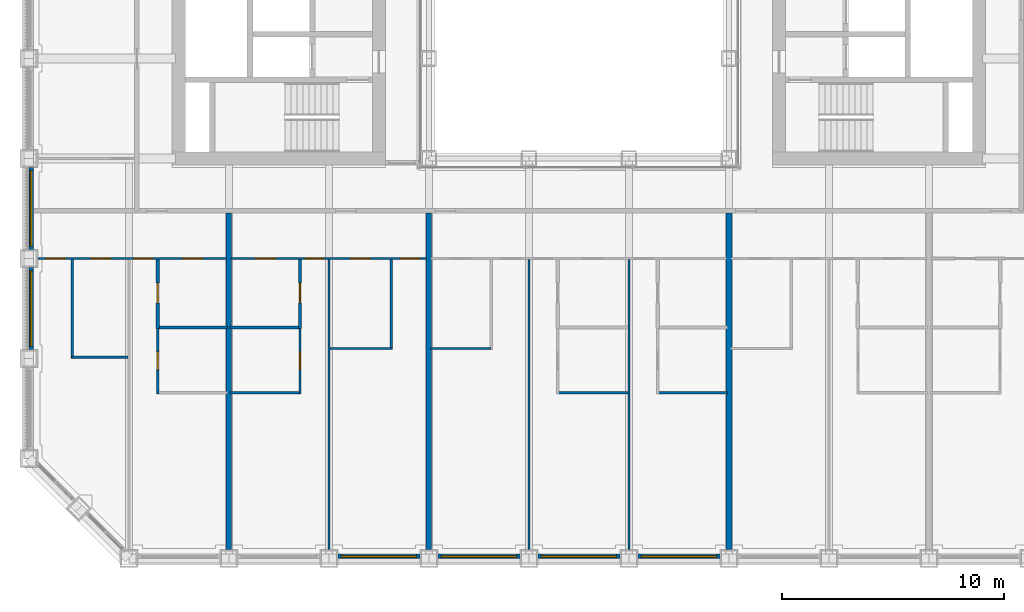
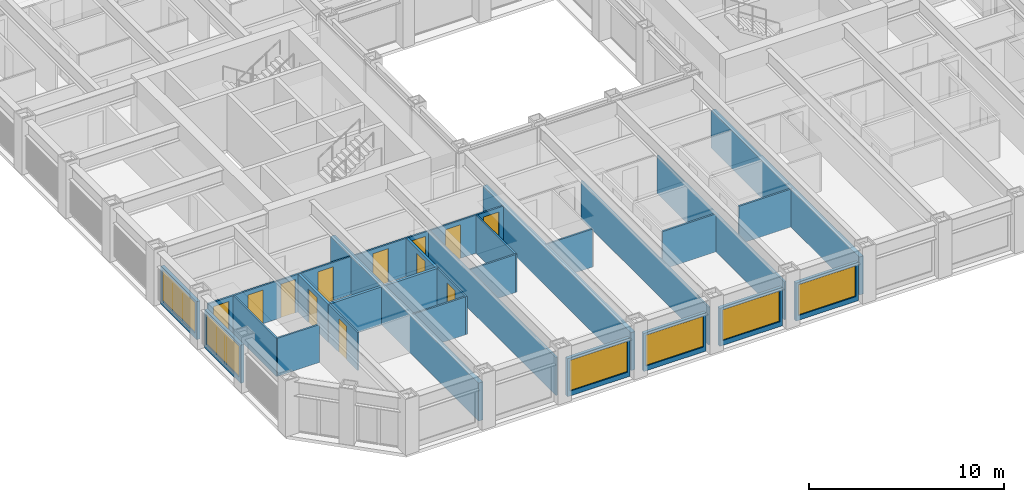
# One storey, part 9 of 21: 28 walls, 12 doors, 6 windows, 18 openings.
"""IFC4 building model written with IfcOpenShell, lengths in metres."""

from ifc_helpers import new_model, si_unit, direction, frame, frame_2d, origin, place, context, subcontext, project, spatial, rectangle, extrude, material, layer, layer_set, type_object, element, fill, save


model = new_model("IFC4")

# Units and contexts
model_context = context("Model", 3, precision=1e-05, world=origin(), true_north=direction((0.0, 1.0)))
body_context = subcontext(model_context, "Body", "Model", "MODEL_VIEW")
ifc_project = project(units=[si_unit("LENGTHUNIT", "METRE"), si_unit("AREAUNIT", "SQUARE_METRE"), si_unit("VOLUMEUNIT", "CUBIC_METRE"), si_unit("PLANEANGLEUNIT", "RADIAN"), si_unit("MASSUNIT", "GRAM", prefix="KILO")], contexts=[model_context])

# Site, building, storey
site_placement = place(None, origin())
site = spatial("IfcSite", under=ifc_project, at=site_placement, CompositionType="ELEMENT")
building_placement = place(site_placement, origin())
building = spatial("IfcBuilding", under=site, at=building_placement, Name="Msasa Ring Tower", CompositionType="ELEMENT")
storey_placement = place(building_placement, frame((0.0, 0.0, 51.0)))
storey = spatial("IfcBuildingStorey", under=building, at=storey_placement, Name="L12", CompositionType="ELEMENT", Elevation=51.0)

# Wall, opening, window
ifc_material_1 = material(Name="Terracotta rainscreen on blockwork", Category="masonry")
ifc_layer_1 = layer(ifc_material_1, 0.199951171875)
ifc_layer_set_1 = layer_set([ifc_layer_1], Name="FW1 TERRACOTTA-LINED INFILL BAY WALL 200")
wall_type_1 = type_object("IfcWallType", Name="FW1 TERRACOTTA-LINED INFILL BAY WALL 200", PredefinedType="SOLIDWALL", material=ifc_layer_set_1)
wall_1_placement = place(storey_placement, frame((-10.844970703125, -24.64990234375, 0.0), z_axis=(0.0, 0.0, 1.0), x_axis=(1.0, 0.0, 0.0)))
wall_1 = element("IfcWall", 1, at=wall_1_placement, inside=storey, type_object=wall_type_1, Name="Infill bay wall S L12 02", PredefinedType="SOLIDWALL", context=body_context, shape_type="SweptSolid", body=[
    extrude(rectangle(XDim=3.68994140625, YDim=0.199951171875, at=frame_2d((1.844970703125, 0.0))), origin(), (0.0, 0.0, 1.0), 2.37890625),
])
opening_1_placement = place(wall_1_placement, frame((0.14501953125, 0.0, 0.300048828125)))
opening_1 = element("IfcOpeningElement", 2, at=opening_1_placement, cuts=wall_1, Name="Opening WN1", PredefinedType="OPENING", context=body_context, shape_type="SweptSolid", body=[
    extrude(rectangle(XDim=3.39990234375, YDim=1.928955078125, at=frame_2d((1.699951171875, 0.96435546875))), frame((0.0, 0.10986328125, 0.0), z_axis=(0.0, -1.0, 0.0), x_axis=(1.0, 0.0, 0.0)), (0.0, 0.0, 1.0), 0.219970703125),
])
ifc_material_2 = material(Name="Aluminium frame with clear glass", Category="aluminium")
window_type = type_object("IfcWindowType", Name="WN1 RESIDENCE WINDOW 3400x1929", PartitioningType="SINGLE_PANEL", PredefinedType="WINDOW", material=ifc_material_2)
window_1_placement = place(opening_1_placement, origin())
window_1 = element("IfcWindow", 3, at=window_1_placement, inside=storey, type_object=window_type, Name="Window S L12 02", OverallHeight=1.928955078125, OverallWidth=3.39990234375, PartitioningType="SINGLE_PANEL", PredefinedType="WINDOW", context=body_context, shape_type="SweptSolid", body=[
    extrude(rectangle(XDim=3.39990234375, YDim=1.928955078125, at=frame_2d((1.699951171875, 0.96435546875))), frame((0.0, 0.030029296875, 0.0), z_axis=(0.0, -1.0, 0.0), x_axis=(1.0, 0.0, 0.0)), (0.0, 0.0, 1.0), 0.06005859375),
])
fill(opening_1, window_1)

wall_2_placement = place(storey_placement, frame((-6.344970703125, -24.64990234375, 0.0), z_axis=(0.0, 0.0, 1.0), x_axis=(1.0, 0.0, 0.0)))
wall_2 = element("IfcWall", 4, at=wall_2_placement, inside=storey, type_object=wall_type_1, Name="Infill bay wall S L12 03", PredefinedType="SOLIDWALL", context=body_context, shape_type="SweptSolid", body=[
    extrude(rectangle(XDim=3.68994140625, YDim=0.199951171875, at=frame_2d((1.844970703125, 0.0))), origin(), (0.0, 0.0, 1.0), 2.37890625),
])
opening_2_placement = place(wall_2_placement, frame((0.14501953125, 0.0, 0.300048828125)))
opening_2 = element("IfcOpeningElement", 5, at=opening_2_placement, cuts=wall_2, Name="Opening WN1", PredefinedType="OPENING", context=body_context, shape_type="SweptSolid", body=[
    extrude(rectangle(XDim=3.39990234375, YDim=1.928955078125, at=frame_2d((1.699951171875, 0.96435546875))), frame((0.0, 0.10986328125, 0.0), z_axis=(0.0, -1.0, 0.0), x_axis=(1.0, 0.0, 0.0)), (0.0, 0.0, 1.0), 0.219970703125),
])
window_2_placement = place(opening_2_placement, origin())
window_2 = element("IfcWindow", 6, at=window_2_placement, inside=storey, type_object=window_type, Name="Window S L12 03", OverallHeight=1.928955078125, OverallWidth=3.39990234375, PartitioningType="SINGLE_PANEL", PredefinedType="WINDOW", context=body_context, shape_type="SweptSolid", body=[
    extrude(rectangle(XDim=3.39990234375, YDim=1.928955078125, at=frame_2d((1.699951171875, 0.96435546875))), frame((0.0, 0.030029296875, 0.0), z_axis=(0.0, -1.0, 0.0), x_axis=(1.0, 0.0, 0.0)), (0.0, 0.0, 1.0), 0.06005859375),
])
fill(opening_2, window_2)

wall_3_placement = place(storey_placement, frame((-1.844970703125, -24.64990234375, 0.0), z_axis=(0.0, 0.0, 1.0), x_axis=(1.0, 0.0, 0.0)))
wall_3 = element("IfcWall", 7, at=wall_3_placement, inside=storey, type_object=wall_type_1, Name="Infill bay wall S L12 04", PredefinedType="SOLIDWALL", context=body_context, shape_type="SweptSolid", body=[
    extrude(rectangle(XDim=3.68994140625, YDim=0.199951171875, at=frame_2d((1.844970703125, 0.0))), origin(), (0.0, 0.0, 1.0), 2.37890625),
])
opening_3_placement = place(wall_3_placement, frame((0.14501953125, 0.0, 0.300048828125)))
opening_3 = element("IfcOpeningElement", 8, at=opening_3_placement, cuts=wall_3, Name="Opening WN1", PredefinedType="OPENING", context=body_context, shape_type="SweptSolid", body=[
    extrude(rectangle(XDim=3.39990234375, YDim=1.928955078125, at=frame_2d((1.699951171875, 0.96435546875))), frame((0.0, 0.10986328125, 0.0), z_axis=(0.0, -1.0, 0.0), x_axis=(1.0, 0.0, 0.0)), (0.0, 0.0, 1.0), 0.219970703125),
])
window_3_placement = place(opening_3_placement, origin())
window_3 = element("IfcWindow", 9, at=window_3_placement, inside=storey, type_object=window_type, Name="Window S L12 04", OverallHeight=1.928955078125, OverallWidth=3.39990234375, PartitioningType="SINGLE_PANEL", PredefinedType="WINDOW", context=body_context, shape_type="SweptSolid", body=[
    extrude(rectangle(XDim=3.39990234375, YDim=1.928955078125, at=frame_2d((1.699951171875, 0.96435546875))), frame((0.0, 0.030029296875, 0.0), z_axis=(0.0, -1.0, 0.0), x_axis=(1.0, 0.0, 0.0)), (0.0, 0.0, 1.0), 0.06005859375),
])
fill(opening_3, window_3)

wall_4_placement = place(storey_placement, frame((2.655029296875, -24.64990234375, 0.0), z_axis=(0.0, 0.0, 1.0), x_axis=(1.0, 0.0, 0.0)))
wall_4 = element("IfcWall", 10, at=wall_4_placement, inside=storey, type_object=wall_type_1, Name="Infill bay wall S L12 05", PredefinedType="SOLIDWALL", context=body_context, shape_type="SweptSolid", body=[
    extrude(rectangle(XDim=3.68994140625, YDim=0.199951171875, at=frame_2d((1.844970703125, 0.0))), origin(), (0.0, 0.0, 1.0), 2.37890625),
])
opening_4_placement = place(wall_4_placement, frame((0.14501953125, 0.0, 0.300048828125)))
opening_4 = element("IfcOpeningElement", 11, at=opening_4_placement, cuts=wall_4, Name="Opening WN1", PredefinedType="OPENING", context=body_context, shape_type="SweptSolid", body=[
    extrude(rectangle(XDim=3.39990234375, YDim=1.928955078125, at=frame_2d((1.699951171875, 0.96435546875))), frame((0.0, 0.10986328125, 0.0), z_axis=(0.0, -1.0, 0.0), x_axis=(1.0, 0.0, 0.0)), (0.0, 0.0, 1.0), 0.219970703125),
])
window_4_placement = place(opening_4_placement, origin())
window_4 = element("IfcWindow", 12, at=window_4_placement, inside=storey, type_object=window_type, Name="Window S L12 05", OverallHeight=1.928955078125, OverallWidth=3.39990234375, PartitioningType="SINGLE_PANEL", PredefinedType="WINDOW", context=body_context, shape_type="SweptSolid", body=[
    extrude(rectangle(XDim=3.39990234375, YDim=1.928955078125, at=frame_2d((1.699951171875, 0.96435546875))), frame((0.0, 0.030029296875, 0.0), z_axis=(0.0, -1.0, 0.0), x_axis=(1.0, 0.0, 0.0)), (0.0, 0.0, 1.0), 0.06005859375),
])
fill(opening_4, window_4)

wall_5_placement = place(storey_placement, frame((-24.64990234375, -15.344970703125, 0.0), z_axis=(0.0, 0.0, 1.0), x_axis=(0.0, 1.0, 0.0)))
wall_5 = element("IfcWall", 13, at=wall_5_placement, inside=storey, type_object=wall_type_1, Name="Infill bay wall W L12 34", PredefinedType="SOLIDWALL", context=body_context, shape_type="SweptSolid", body=[
    extrude(rectangle(XDim=3.68994140625, YDim=0.199951171875, at=frame_2d((1.844970703125, 0.0))), origin(), (0.0, 0.0, 1.0), 2.37890625),
])
opening_5_placement = place(wall_5_placement, frame((0.14501953125, 0.0, 0.300048828125)))
opening_5 = element("IfcOpeningElement", 14, at=opening_5_placement, cuts=wall_5, Name="Opening WN1", PredefinedType="OPENING", context=body_context, shape_type="SweptSolid", body=[
    extrude(rectangle(XDim=3.39990234375, YDim=1.928955078125, at=frame_2d((1.699951171875, 0.96435546875))), frame((0.0, 0.10986328125, 0.0), z_axis=(0.0, -1.0, 0.0), x_axis=(1.0, 0.0, 0.0)), (0.0, 0.0, 1.0), 0.219970703125),
])
window_5_placement = place(opening_5_placement, origin())
window_5 = element("IfcWindow", 15, at=window_5_placement, inside=storey, type_object=window_type, Name="Window W L12 34", OverallHeight=1.928955078125, OverallWidth=3.39990234375, PartitioningType="SINGLE_PANEL", PredefinedType="WINDOW", context=body_context, shape_type="SweptSolid", body=[
    extrude(rectangle(XDim=3.39990234375, YDim=1.928955078125, at=frame_2d((1.699951171875, 0.96435546875))), frame((0.0, 0.030029296875, 0.0), z_axis=(0.0, -1.0, 0.0), x_axis=(1.0, 0.0, 0.0)), (0.0, 0.0, 1.0), 0.06005859375),
])
fill(opening_5, window_5)

wall_6_placement = place(storey_placement, frame((-24.64990234375, -10.844970703125, 0.0), z_axis=(0.0, 0.0, 1.0), x_axis=(0.0, 1.0, 0.0)))
wall_6 = element("IfcWall", 16, at=wall_6_placement, inside=storey, type_object=wall_type_1, Name="Infill bay wall W L12 35", PredefinedType="SOLIDWALL", context=body_context, shape_type="SweptSolid", body=[
    extrude(rectangle(XDim=3.68994140625, YDim=0.199951171875, at=frame_2d((1.844970703125, 0.0))), origin(), (0.0, 0.0, 1.0), 2.37890625),
])
opening_6_placement = place(wall_6_placement, frame((0.14501953125, 0.0, 0.300048828125)))
opening_6 = element("IfcOpeningElement", 17, at=opening_6_placement, cuts=wall_6, Name="Opening WN1", PredefinedType="OPENING", context=body_context, shape_type="SweptSolid", body=[
    extrude(rectangle(XDim=3.39990234375, YDim=1.928955078125, at=frame_2d((1.699951171875, 0.96435546875))), frame((0.0, 0.10986328125, 0.0), z_axis=(0.0, -1.0, 0.0), x_axis=(1.0, 0.0, 0.0)), (0.0, 0.0, 1.0), 0.219970703125),
])
window_6_placement = place(opening_6_placement, origin())
window_6 = element("IfcWindow", 18, at=window_6_placement, inside=storey, type_object=window_type, Name="Window W L12 35", OverallHeight=1.928955078125, OverallWidth=3.39990234375, PartitioningType="SINGLE_PANEL", PredefinedType="WINDOW", context=body_context, shape_type="SweptSolid", body=[
    extrude(rectangle(XDim=3.39990234375, YDim=1.928955078125, at=frame_2d((1.699951171875, 0.96435546875))), frame((0.0, 0.030029296875, 0.0), z_axis=(0.0, -1.0, 0.0), x_axis=(1.0, 0.0, 0.0)), (0.0, 0.0, 1.0), 0.06005859375),
])
fill(opening_6, window_6)

# Wall, openings, doors
ifc_material_3 = material(Name="Gypsum board on steel studs", Category="steel")
ifc_layer_2 = layer(ifc_material_3, 0.10009765625)
ifc_layer_set_2 = layer_set([ifc_layer_2], Name="PT2 STUD PARTITION 100")
wall_type_2 = type_object("IfcWallType", Name="PT2 STUD PARTITION 100", PredefinedType="PARTITIONING", material=ifc_layer_set_2)
wall_7_placement = place(storey_placement, frame((-24.35009765625, -11.25, 0.0), z_axis=(0.0, 0.0, 1.0), x_axis=(1.0, 0.0, 0.0)))
wall_7 = element("IfcWall", 19, at=wall_7_placement, inside=storey, type_object=wall_type_2, Name="Partition L12-US00HY", PredefinedType="PARTITIONING", context=body_context, shape_type="SweptSolid", body=[
    extrude(rectangle(XDim=8.5, YDim=0.10009765625, at=frame_2d((4.25, 0.0))), origin(), (0.0, 0.0, 1.0), 2.373291015625),
])
opening_7_placement = place(wall_7_placement, frame((2.375, 0.0, 0.0)))
opening_7 = element("IfcOpeningElement", 20, at=opening_7_placement, cuts=wall_7, Name="Opening RC-054", PredefinedType="OPENING", context=body_context, shape_type="SweptSolid", body=[
    extrude(rectangle(XDim=0.89990234375, YDim=2.10009765625, at=frame_2d((0.449951171875, 1.050048828125))), frame((0.0, 0.06005859375, 0.0), z_axis=(0.0, -1.0, 0.0), x_axis=(1.0, 0.0, 0.0)), (0.0, 0.0, 1.0), 0.1201171875),
])
opening_8_placement = place(wall_7_placement, frame((0.35009765625, 0.0, 0.0)))
opening_8 = element("IfcOpeningElement", 21, at=opening_8_placement, cuts=wall_7, Name="Opening RC-053", PredefinedType="OPENING", context=body_context, shape_type="SweptSolid", body=[
    extrude(rectangle(XDim=0.89990234375, YDim=2.10009765625, at=frame_2d((0.449951171875, 1.050048828125))), frame((0.0, 0.06005859375, 0.0), z_axis=(0.0, -1.0, 0.0), x_axis=(1.0, 0.0, 0.0)), (0.0, 0.0, 1.0), 0.1201171875),
])
opening_9_placement = place(wall_7_placement, frame((4.324951171875, 0.0, 0.0)))
opening_9 = element("IfcOpeningElement", 22, at=opening_9_placement, cuts=wall_7, Name="Opening RC-055", PredefinedType="OPENING", context=body_context, shape_type="SweptSolid", body=[
    extrude(rectangle(XDim=0.85009765625, YDim=2.10009765625, at=frame_2d((0.425048828125, 1.050048828125))), frame((0.0, 0.06005859375, 0.0), z_axis=(0.0, -1.0, 0.0), x_axis=(1.0, 0.0, 0.0)), (0.0, 0.0, 1.0), 0.1201171875),
])
opening_10_placement = place(wall_7_placement, frame((6.52001953125, 0.0, 0.0)))
opening_10 = element("IfcOpeningElement", 23, at=opening_10_placement, cuts=wall_7, Name="Opening RC-056", PredefinedType="OPENING", context=body_context, shape_type="SweptSolid", body=[
    extrude(rectangle(XDim=0.89990234375, YDim=2.10009765625, at=frame_2d((0.449951171875, 1.050048828125))), frame((0.0, 0.06005859375, 0.0), z_axis=(0.0, -1.0, 0.0), x_axis=(1.0, 0.0, 0.0)), (0.0, 0.0, 1.0), 0.1201171875),
])
ifc_material_4 = material(Name="Timber door leaf in a steel frame", Category="steel")
door_type_1 = type_object("IfcDoorType", Name="D14 BEDROOM DOOR 850x2100", OperationType="SINGLE_SWING_LEFT", PredefinedType="DOOR", material=ifc_material_4)
door_1_placement = place(opening_9_placement, origin())
door_1 = element("IfcDoor", 24, at=door_1_placement, inside=storey, type_object=door_type_1, Name="Door L12-US00R1", OperationType="SINGLE_SWING_RIGHT", OverallHeight=2.10009765625, OverallWidth=0.85009765625, PredefinedType="DOOR", context=body_context, shape_type="SweptSolid", body=[
    extrude(rectangle(XDim=0.85009765625, YDim=2.10009765625, at=frame_2d((0.425048828125, 1.050048828125))), frame((0.0, 0.02490234375, 0.0), z_axis=(0.0, -1.0, 0.0), x_axis=(1.0, 0.0, 0.0)), (0.0, 0.0, 1.0), 0.050048828125),
])
fill(opening_9, door_1)
ifc_material_5 = material(Name="Timber door leaf in a steel frame", Category="steel")
door_type_2 = type_object("IfcDoorType", Name="D22 INTERNAL HALL DOOR 900x2100", OperationType="SINGLE_SWING_LEFT", PredefinedType="DOOR", material=ifc_material_5)
door_2_placement = place(opening_7_placement, origin())
door_2 = element("IfcDoor", 25, at=door_2_placement, inside=storey, type_object=door_type_2, Name="Door L12-US00K", OperationType="SINGLE_SWING_LEFT", OverallHeight=2.10009765625, OverallWidth=0.89990234375, PredefinedType="DOOR", context=body_context, shape_type="SweptSolid", body=[
    extrude(rectangle(XDim=0.89990234375, YDim=2.10009765625, at=frame_2d((0.449951171875, 1.050048828125))), frame((0.0, 0.02490234375, 0.0), z_axis=(0.0, -1.0, 0.0), x_axis=(1.0, 0.0, 0.0)), (0.0, 0.0, 1.0), 0.050048828125),
])
fill(opening_7, door_2)
door_3_placement = place(opening_8_placement, origin())
door_3 = element("IfcDoor", 26, at=door_3_placement, inside=storey, type_object=door_type_2, Name="Door L12-US00L", OperationType="SINGLE_SWING_LEFT", OverallHeight=2.10009765625, OverallWidth=0.89990234375, PredefinedType="DOOR", context=body_context, shape_type="SweptSolid", body=[
    extrude(rectangle(XDim=0.89990234375, YDim=2.10009765625, at=frame_2d((0.449951171875, 1.050048828125))), frame((0.0, 0.02490234375, 0.0), z_axis=(0.0, -1.0, 0.0), x_axis=(1.0, 0.0, 0.0)), (0.0, 0.0, 1.0), 0.050048828125),
])
fill(opening_8, door_3)
ifc_material_6 = material(Name="Timber door leaf in a steel frame", Category="steel")
door_type_3 = type_object("IfcDoorType", Name="D3 BATHROOM DOOR 900x2100", OperationType="SINGLE_SWING_LEFT", PredefinedType="DOOR", material=ifc_material_6)
door_4_placement = place(opening_10_placement, origin())
door_4 = element("IfcDoor", 27, at=door_4_placement, inside=storey, type_object=door_type_3, Name="Door L12-US00BH1", OperationType="SINGLE_SWING_RIGHT", OverallHeight=2.10009765625, OverallWidth=0.89990234375, PredefinedType="DOOR", context=body_context, shape_type="SweptSolid", body=[
    extrude(rectangle(XDim=0.89990234375, YDim=2.10009765625, at=frame_2d((0.449951171875, 1.050048828125))), frame((0.0, 0.02490234375, 0.0), z_axis=(0.0, -1.0, 0.0), x_axis=(1.0, 0.0, 0.0)), (0.0, 0.0, 1.0), 0.050048828125),
])
fill(opening_10, door_4)

# Walls
wall_8_placement = place(storey_placement, frame((-22.800048828125, -15.7421875, 0.0), z_axis=(0.0, 0.0, 1.0), x_axis=(0.0, 1.0, 0.0)))
element("IfcWall", 28, at=wall_8_placement, inside=storey, type_object=wall_type_2, Name="Partition L12-US00KX", PredefinedType="PARTITIONING", context=body_context, shape_type="SweptSolid", body=[
    extrude(rectangle(XDim=4.442138671875, YDim=0.10009765625, at=frame_2d((2.22119140625, 0.0))), origin(), (0.0, 0.0, 1.0), 2.373291015625),
])
wall_9_placement = place(storey_placement, frame((-22.800048828125, -15.692138671875, 0.0), z_axis=(0.0, 0.0, 1.0), x_axis=(1.0, 0.0, 0.0)))
element("IfcWall", 29, at=wall_9_placement, inside=storey, type_object=wall_type_2, Name="Partition L12-US00KY", PredefinedType="PARTITIONING", context=body_context, shape_type="SweptSolid", body=[
    extrude(rectangle(XDim=2.5, YDim=0.10009765625, at=frame_2d((1.25, 0.0))), origin(), (0.0, 0.0, 1.0), 2.373291015625),
])

# Wall, opening, door
wall_10_placement = place(storey_placement, frame((-18.949951171875, -17.3408203125, 0.0), z_axis=(0.0, 0.0, 1.0), x_axis=(0.0, 1.0, 0.0)))
wall_10 = element("IfcWall", 30, at=wall_10_placement, inside=storey, type_object=wall_type_2, Name="Partition L12-US00WX1", PredefinedType="PARTITIONING", context=body_context, shape_type="SweptSolid", body=[
    extrude(rectangle(XDim=2.94091796875, YDim=0.10009765625, at=frame_2d((1.470458984375, 0.0))), origin(), (0.0, 0.0, 1.0), 2.373291015625),
])
opening_11_placement = place(wall_10_placement, frame((1.095458984375, 0.0, 0.0)))
opening_11 = element("IfcOpeningElement", 31, at=opening_11_placement, cuts=wall_10, Name="Opening RC-080", PredefinedType="OPENING", context=body_context, shape_type="SweptSolid", body=[
    extrude(rectangle(XDim=0.800048828125, YDim=2.10009765625, at=frame_2d((0.39990234375, 1.050048828125))), frame((0.0, 0.06005859375, 0.0), z_axis=(0.0, -1.0, 0.0), x_axis=(1.0, 0.0, 0.0)), (0.0, 0.0, 1.0), 0.1201171875),
])
ifc_material_7 = material(Name="Timber door leaf in a steel frame", Category="steel")
door_type_4 = type_object("IfcDoorType", Name="D60 DRESSING ROOM DOOR 800x2100", OperationType="SINGLE_SWING_LEFT", PredefinedType="DOOR", material=ifc_material_7)
door_5_placement = place(opening_11_placement, origin())
door_5 = element("IfcDoor", 32, at=door_5_placement, inside=storey, type_object=door_type_4, Name="Door L12-US00W1", OperationType="SINGLE_SWING_LEFT", OverallHeight=2.10009765625, OverallWidth=0.800048828125, PredefinedType="DOOR", context=body_context, shape_type="SweptSolid", body=[
    extrude(rectangle(XDim=0.800048828125, YDim=2.10009765625, at=frame_2d((0.39990234375, 1.050048828125))), frame((0.0, 0.02490234375, 0.0), z_axis=(0.0, -1.0, 0.0), x_axis=(1.0, 0.0, 0.0)), (0.0, 0.0, 1.0), 0.050048828125),
])
fill(opening_11, door_5)

# Wall, openings, doors
wall_11_placement = place(storey_placement, frame((-15.64990234375, -11.25, 0.0), z_axis=(0.0, 0.0, 1.0), x_axis=(1.0, 0.0, 0.0)))
wall_11 = element("IfcWall", 33, at=wall_11_placement, inside=storey, type_object=wall_type_2, Name="Partition L12-US01HY", PredefinedType="PARTITIONING", context=body_context, shape_type="SweptSolid", body=[
    extrude(rectangle(XDim=8.7998046875, YDim=0.10009765625, at=frame_2d((4.39990234375, 0.0))), origin(), (0.0, 0.0, 1.0), 2.373291015625),
])
opening_12_placement = place(wall_11_placement, frame((5.35009765625, 0.0, 0.0)))
opening_12 = element("IfcOpeningElement", 34, at=opening_12_placement, cuts=wall_11, Name="Opening RC-059", PredefinedType="OPENING", context=body_context, shape_type="SweptSolid", body=[
    extrude(rectangle(XDim=0.89990234375, YDim=2.10009765625, at=frame_2d((0.449951171875, 1.050048828125))), frame((0.0, 0.06005859375, 0.0), z_axis=(0.0, -1.0, 0.0), x_axis=(1.0, 0.0, 0.0)), (0.0, 0.0, 1.0), 0.1201171875),
])
opening_13_placement = place(wall_11_placement, frame((7.60009765625, 0.0, 0.0)))
opening_13 = element("IfcOpeningElement", 35, at=opening_13_placement, cuts=wall_11, Name="Opening RC-060", PredefinedType="OPENING", context=body_context, shape_type="SweptSolid", body=[
    extrude(rectangle(XDim=0.89990234375, YDim=2.10009765625, at=frame_2d((0.449951171875, 1.050048828125))), frame((0.0, 0.06005859375, 0.0), z_axis=(0.0, -1.0, 0.0), x_axis=(1.0, 0.0, 0.0)), (0.0, 0.0, 1.0), 0.1201171875),
])
opening_14_placement = place(wall_11_placement, frame((3.324951171875, 0.0, 0.0)))
opening_14 = element("IfcOpeningElement", 36, at=opening_14_placement, cuts=wall_11, Name="Opening RC-058", PredefinedType="OPENING", context=body_context, shape_type="SweptSolid", body=[
    extrude(rectangle(XDim=0.85009765625, YDim=2.10009765625, at=frame_2d((0.425048828125, 1.050048828125))), frame((0.0, 0.06005859375, 0.0), z_axis=(0.0, -1.0, 0.0), x_axis=(1.0, 0.0, 0.0)), (0.0, 0.0, 1.0), 0.1201171875),
])
opening_15_placement = place(wall_11_placement, frame((1.080078125, 0.0, 0.0)))
opening_15 = element("IfcOpeningElement", 37, at=opening_15_placement, cuts=wall_11, Name="Opening RC-057", PredefinedType="OPENING", context=body_context, shape_type="SweptSolid", body=[
    extrude(rectangle(XDim=0.89990234375, YDim=2.10009765625, at=frame_2d((0.449951171875, 1.050048828125))), frame((0.0, 0.06005859375, 0.0), z_axis=(0.0, -1.0, 0.0), x_axis=(1.0, 0.0, 0.0)), (0.0, 0.0, 1.0), 0.1201171875),
])
door_6_placement = place(opening_14_placement, origin())
door_6 = element("IfcDoor", 38, at=door_6_placement, inside=storey, type_object=door_type_1, Name="Door L12-US01R1", OperationType="SINGLE_SWING_LEFT", OverallHeight=2.10009765625, OverallWidth=0.85009765625, PredefinedType="DOOR", context=body_context, shape_type="SweptSolid", body=[
    extrude(rectangle(XDim=0.85009765625, YDim=2.10009765625, at=frame_2d((0.425048828125, 1.050048828125))), frame((0.0, 0.02490234375, 0.0), z_axis=(0.0, -1.0, 0.0), x_axis=(1.0, 0.0, 0.0)), (0.0, 0.0, 1.0), 0.050048828125),
])
fill(opening_14, door_6)
door_7_placement = place(opening_12_placement, origin())
door_7 = element("IfcDoor", 39, at=door_7_placement, inside=storey, type_object=door_type_2, Name="Door L12-US01K", OperationType="SINGLE_SWING_RIGHT", OverallHeight=2.10009765625, OverallWidth=0.89990234375, PredefinedType="DOOR", context=body_context, shape_type="SweptSolid", body=[
    extrude(rectangle(XDim=0.89990234375, YDim=2.10009765625, at=frame_2d((0.449951171875, 1.050048828125))), frame((0.0, 0.02490234375, 0.0), z_axis=(0.0, -1.0, 0.0), x_axis=(1.0, 0.0, 0.0)), (0.0, 0.0, 1.0), 0.050048828125),
])
fill(opening_12, door_7)
door_8_placement = place(opening_13_placement, origin())
door_8 = element("IfcDoor", 40, at=door_8_placement, inside=storey, type_object=door_type_2, Name="Door L12-US01L", OperationType="SINGLE_SWING_RIGHT", OverallHeight=2.10009765625, OverallWidth=0.89990234375, PredefinedType="DOOR", context=body_context, shape_type="SweptSolid", body=[
    extrude(rectangle(XDim=0.89990234375, YDim=2.10009765625, at=frame_2d((0.449951171875, 1.050048828125))), frame((0.0, 0.02490234375, 0.0), z_axis=(0.0, -1.0, 0.0), x_axis=(1.0, 0.0, 0.0)), (0.0, 0.0, 1.0), 0.050048828125),
])
fill(opening_13, door_8)
door_9_placement = place(opening_15_placement, origin())
door_9 = element("IfcDoor", 41, at=door_9_placement, inside=storey, type_object=door_type_3, Name="Door L12-US01BH1", OperationType="SINGLE_SWING_LEFT", OverallHeight=2.10009765625, OverallWidth=0.89990234375, PredefinedType="DOOR", context=body_context, shape_type="SweptSolid", body=[
    extrude(rectangle(XDim=0.89990234375, YDim=2.10009765625, at=frame_2d((0.449951171875, 1.050048828125))), frame((0.0, 0.02490234375, 0.0), z_axis=(0.0, -1.0, 0.0), x_axis=(1.0, 0.0, 0.0)), (0.0, 0.0, 1.0), 0.050048828125),
])
fill(opening_15, door_9)

# Walls
wall_12_placement = place(storey_placement, frame((-8.449951171875, -15.35009765625, 0.0), z_axis=(0.0, 0.0, 1.0), x_axis=(0.0, 1.0, 0.0)))
element("IfcWall", 42, at=wall_12_placement, inside=storey, type_object=wall_type_2, Name="Partition L12-US01KX", PredefinedType="PARTITIONING", context=body_context, shape_type="SweptSolid", body=[
    extrude(rectangle(XDim=4.050048828125, YDim=0.10009765625, at=frame_2d((2.02490234375, 0.0))), origin(), (0.0, 0.0, 1.0), 2.373291015625),
])
wall_13_placement = place(storey_placement, frame((-11.199951171875, -15.300048828125, 0.0), z_axis=(0.0, 0.0, 1.0), x_axis=(1.0, 0.0, 0.0)))
element("IfcWall", 43, at=wall_13_placement, inside=storey, type_object=wall_type_2, Name="Partition L12-US01KY", PredefinedType="PARTITIONING", context=body_context, shape_type="SweptSolid", body=[
    extrude(rectangle(XDim=2.75, YDim=0.10009765625, at=frame_2d((1.375, 0.0))), origin(), (0.0, 0.0, 1.0), 2.373291015625),
])
wall_14_placement = place(storey_placement, frame((-11.25, -24.35009765625, 0.0), z_axis=(0.0, 0.0, 1.0), x_axis=(0.0, 1.0, 0.0)))
element("IfcWall", 44, at=wall_14_placement, inside=storey, type_object=wall_type_2, Name="Partition L12-US01P1", PredefinedType="PARTITIONING", context=body_context, shape_type="SweptSolid", body=[
    extrude(rectangle(XDim=13.050048828125, YDim=0.10009765625, at=frame_2d((6.52490234375, 0.0))), origin(), (0.0, 0.0, 1.0), 2.373291015625),
])

# Wall, opening, door
wall_15_placement = place(storey_placement, frame((-12.550048828125, -17.343505859375, 0.0), z_axis=(0.0, 0.0, 1.0), x_axis=(0.0, 1.0, 0.0)))
wall_15 = element("IfcWall", 45, at=wall_15_placement, inside=storey, type_object=wall_type_2, Name="Partition L12-US01WX1", PredefinedType="PARTITIONING", context=body_context, shape_type="SweptSolid", body=[
    extrude(rectangle(XDim=2.943603515625, YDim=0.10009765625, at=frame_2d((1.4716796875, 0.0))), origin(), (0.0, 0.0, 1.0), 2.373291015625),
])
opening_16_placement = place(wall_15_placement, frame((1.0966796875, 0.0, 0.0)))
opening_16 = element("IfcOpeningElement", 46, at=opening_16_placement, cuts=wall_15, Name="Opening RC-081", PredefinedType="OPENING", context=body_context, shape_type="SweptSolid", body=[
    extrude(rectangle(XDim=0.800048828125, YDim=2.10009765625, at=frame_2d((0.39990234375, 1.050048828125))), frame((0.0, 0.06005859375, 0.0), z_axis=(0.0, -1.0, 0.0), x_axis=(1.0, 0.0, 0.0)), (0.0, 0.0, 1.0), 0.1201171875),
])
door_10_placement = place(opening_16_placement, origin())
door_10 = element("IfcDoor", 47, at=door_10_placement, inside=storey, type_object=door_type_4, Name="Door L12-US01W1", OperationType="SINGLE_SWING_LEFT", OverallHeight=2.10009765625, OverallWidth=0.800048828125, PredefinedType="DOOR", context=body_context, shape_type="SweptSolid", body=[
    extrude(rectangle(XDim=0.800048828125, YDim=2.10009765625, at=frame_2d((0.39990234375, 1.050048828125))), frame((0.0, 0.02490234375, 0.0), z_axis=(0.0, -1.0, 0.0), x_axis=(1.0, 0.0, 0.0)), (0.0, 0.0, 1.0), 0.050048828125),
])
fill(opening_16, door_10)

# Walls
wall_16_placement = place(storey_placement, frame((-15.68994140625, -17.29345703125, 0.0), z_axis=(0.0, 0.0, 1.0), x_axis=(1.0, 0.0, 0.0)))
element("IfcWall", 48, at=wall_16_placement, inside=storey, type_object=wall_type_2, Name="Partition L12-US01WY1", PredefinedType="PARTITIONING", context=body_context, shape_type="SweptSolid", body=[
    extrude(rectangle(XDim=3.139892578125, YDim=0.10009765625, at=frame_2d((1.56982421875, 0.0))), origin(), (0.0, 0.0, 1.0), 2.373291015625),
])
wall_17_placement = place(storey_placement, frame((-6.68994140625, -15.300048828125, 0.0), z_axis=(0.0, 0.0, 1.0), x_axis=(1.0, 0.0, 0.0)))
element("IfcWall", 49, at=wall_17_placement, inside=storey, type_object=wall_type_2, Name="Partition L12-US02KY", PredefinedType="PARTITIONING", context=body_context, shape_type="SweptSolid", body=[
    extrude(rectangle(XDim=2.739990234375, YDim=0.10009765625, at=frame_2d((1.3701171875, 0.0))), origin(), (0.0, 0.0, 1.0), 2.373291015625),
])
wall_18_placement = place(storey_placement, frame((-2.25, -24.35009765625, 0.0), z_axis=(0.0, 0.0, 1.0), x_axis=(0.0, 1.0, 0.0)))
element("IfcWall", 50, at=wall_18_placement, inside=storey, type_object=wall_type_2, Name="Partition L12-US02P1", PredefinedType="PARTITIONING", context=body_context, shape_type="SweptSolid", body=[
    extrude(rectangle(XDim=13.050048828125, YDim=0.10009765625, at=frame_2d((6.52490234375, 0.0))), origin(), (0.0, 0.0, 1.0), 2.373291015625),
])
wall_19_placement = place(storey_placement, frame((-0.949951171875, -17.29345703125, 0.0), z_axis=(0.0, 0.0, 1.0), x_axis=(1.0, 0.0, 0.0)))
element("IfcWall", 51, at=wall_19_placement, inside=storey, type_object=wall_type_2, Name="Partition L12-US02WY1", PredefinedType="PARTITIONING", context=body_context, shape_type="SweptSolid", body=[
    extrude(rectangle(XDim=3.14990234375, YDim=0.10009765625, at=frame_2d((1.574951171875, 0.0))), origin(), (0.0, 0.0, 1.0), 2.373291015625),
])
wall_20_placement = place(storey_placement, frame((2.25, -24.35009765625, 0.0), z_axis=(0.0, 0.0, 1.0), x_axis=(0.0, 1.0, 0.0)))
element("IfcWall", 52, at=wall_20_placement, inside=storey, type_object=wall_type_2, Name="Partition L12-US02P2", PredefinedType="PARTITIONING", context=body_context, shape_type="SweptSolid", body=[
    extrude(rectangle(XDim=13.050048828125, YDim=0.10009765625, at=frame_2d((6.52490234375, 0.0))), origin(), (0.0, 0.0, 1.0), 2.373291015625),
])
wall_21_placement = place(storey_placement, frame((3.550048828125, -17.29345703125, 0.0), z_axis=(0.0, 0.0, 1.0), x_axis=(1.0, 0.0, 0.0)))
element("IfcWall", 53, at=wall_21_placement, inside=storey, type_object=wall_type_2, Name="Partition L12-US02WY2", PredefinedType="PARTITIONING", context=body_context, shape_type="SweptSolid", body=[
    extrude(rectangle(XDim=3.139892578125, YDim=0.10009765625, at=frame_2d((1.56982421875, 0.0))), origin(), (0.0, 0.0, 1.0), 2.373291015625),
])
ifc_material_8 = material(Name="Dense concrete blockwork, plastered both faces", Category="masonry")
ifc_layer_3 = layer(ifc_material_8, 0.25)
ifc_layer_set_3 = layer_set([ifc_layer_3], Name="PT3 APARTMENT SEPARATING WALL 250")
wall_type_3 = type_object("IfcWallType", Name="PT3 APARTMENT SEPARATING WALL 250", PredefinedType="PARTITIONING", material=ifc_layer_set_3)
for number, where, z_axis, x_axis, name in (
    (54, (-15.75, -24.35009765625, 0.0), (0.0, 0.0, 1.0), (0.0, 1.0, 0.0), "Party wall L12-PWS-15.75"),
    (55, (-6.75, -24.35009765625, 0.0), (0.0, 0.0, 1.0), (0.0, 1.0, 0.0), "Party wall L12-PWS-6.75"),
    (56, (6.75, -24.35009765625, 0.0), (0.0, 0.0, 1.0), (0.0, 1.0, 0.0), "Party wall L12-PWS+6.75"),
):
    element("IfcWall", number, at=place(storey_placement, frame(where, z_axis=z_axis, x_axis=x_axis)), inside=storey, type_object=wall_type_3, Name=name, PredefinedType="PARTITIONING", context=body_context, shape_type="SweptSolid", body=[
        extrude(rectangle(XDim=15.150146484375, YDim=0.25, at=frame_2d((7.5751953125, 0.0))), origin(), (0.0, 0.0, 1.0), 2.373291015625),
    ])

# Wall, opening, door
ifc_material_9 = material(Name="Moisture-resistant board on steel studs with a concealed cistern and pipe void, tiled", Category="steel")
ifc_layer_4 = layer(ifc_material_9, 0.14990234375)
ifc_layer_set_4 = layer_set([ifc_layer_4], Name="PT4 BATHROOM WET WALL 150")
wall_type_4 = type_object("IfcWallType", Name="PT4 BATHROOM WET WALL 150", PredefinedType="PARTITIONING", material=ifc_layer_set_4)
wall_22_placement = place(storey_placement, frame((-18.949951171875, -14.39990234375, 0.0), z_axis=(0.0, 0.0, 1.0), x_axis=(0.0, 1.0, 0.0)))
wall_22 = element("IfcWall", 57, at=wall_22_placement, inside=storey, type_object=wall_type_4, Name="Partition L12-US00BX1", PredefinedType="PARTITIONING", context=body_context, shape_type="SweptSolid", body=[
    extrude(rectangle(XDim=3.099853515625, YDim=0.14990234375, at=frame_2d((1.5498046875, 0.0))), origin(), (0.0, 0.0, 1.0), 2.373291015625),
])
opening_17_placement = place(wall_22_placement, frame((1.14990234375, 0.0, 0.0)))
opening_17 = element("IfcOpeningElement", 58, at=opening_17_placement, cuts=wall_22, Name="Opening RC-074", PredefinedType="OPENING", context=body_context, shape_type="SweptSolid", body=[
    extrude(rectangle(XDim=0.89990234375, YDim=2.10009765625, at=frame_2d((0.449951171875, 1.050048828125))), frame((0.0, 0.0849609375, 0.0), z_axis=(0.0, -1.0, 0.0), x_axis=(1.0, 0.0, 0.0)), (0.0, 0.0, 1.0), 0.169921875),
])
door_11_placement = place(opening_17_placement, origin())
door_11 = element("IfcDoor", 59, at=door_11_placement, inside=storey, type_object=door_type_3, Name="Door L12-US00B1", OperationType="SINGLE_SWING_RIGHT", OverallHeight=2.10009765625, OverallWidth=0.89990234375, PredefinedType="DOOR", context=body_context, shape_type="SweptSolid", body=[
    extrude(rectangle(XDim=0.89990234375, YDim=2.10009765625, at=frame_2d((0.449951171875, 1.050048828125))), frame((0.0, 0.02490234375, 0.0), z_axis=(0.0, -1.0, 0.0), x_axis=(1.0, 0.0, 0.0)), (0.0, 0.0, 1.0), 0.050048828125),
])
fill(opening_17, door_11)

# Wall
wall_23_placement = place(storey_placement, frame((-18.949951171875, -14.35009765625, 0.0), z_axis=(0.0, 0.0, 1.0), x_axis=(1.0, 0.0, 0.0)))
element("IfcWall", 60, at=wall_23_placement, inside=storey, type_object=wall_type_4, Name="Partition L12-US00BY1", PredefinedType="PARTITIONING", context=body_context, shape_type="SweptSolid", body=[
    extrude(rectangle(XDim=3.139892578125, YDim=0.14990234375, at=frame_2d((1.56982421875, 0.0))), origin(), (0.0, 0.0, 1.0), 2.373291015625),
])

# Wall, opening, door
wall_24_placement = place(storey_placement, frame((-12.550048828125, -14.39990234375, 0.0), z_axis=(0.0, 0.0, 1.0), x_axis=(0.0, 1.0, 0.0)))
wall_24 = element("IfcWall", 61, at=wall_24_placement, inside=storey, type_object=wall_type_4, Name="Partition L12-US01BX1", PredefinedType="PARTITIONING", context=body_context, shape_type="SweptSolid", body=[
    extrude(rectangle(XDim=3.099853515625, YDim=0.14990234375, at=frame_2d((1.5498046875, 0.0))), origin(), (0.0, 0.0, 1.0), 2.373291015625),
])
opening_18_placement = place(wall_24_placement, frame((1.14990234375, 0.0, 0.0)))
opening_18 = element("IfcOpeningElement", 62, at=opening_18_placement, cuts=wall_24, Name="Opening RC-075", PredefinedType="OPENING", context=body_context, shape_type="SweptSolid", body=[
    extrude(rectangle(XDim=0.89990234375, YDim=2.10009765625, at=frame_2d((0.449951171875, 1.050048828125))), frame((0.0, 0.0849609375, 0.0), z_axis=(0.0, -1.0, 0.0), x_axis=(1.0, 0.0, 0.0)), (0.0, 0.0, 1.0), 0.169921875),
])
door_12_placement = place(opening_18_placement, origin())
door_12 = element("IfcDoor", 63, at=door_12_placement, inside=storey, type_object=door_type_3, Name="Door L12-US01B1", OperationType="SINGLE_SWING_RIGHT", OverallHeight=2.10009765625, OverallWidth=0.89990234375, PredefinedType="DOOR", context=body_context, shape_type="SweptSolid", body=[
    extrude(rectangle(XDim=0.89990234375, YDim=2.10009765625, at=frame_2d((0.449951171875, 1.050048828125))), frame((0.0, 0.02490234375, 0.0), z_axis=(0.0, -1.0, 0.0), x_axis=(1.0, 0.0, 0.0)), (0.0, 0.0, 1.0), 0.050048828125),
])
fill(opening_18, door_12)

# Wall
wall_25_placement = place(storey_placement, frame((-15.68994140625, -14.35009765625, 0.0), z_axis=(0.0, 0.0, 1.0), x_axis=(1.0, 0.0, 0.0)))
element("IfcWall", 64, at=wall_25_placement, inside=storey, type_object=wall_type_4, Name="Partition L12-US01BY1", PredefinedType="PARTITIONING", context=body_context, shape_type="SweptSolid", body=[
    extrude(rectangle(XDim=3.139892578125, YDim=0.14990234375, at=frame_2d((1.56982421875, 0.0))), origin(), (0.0, 0.0, 1.0), 2.373291015625),
])

save(model, "model.ifc")
